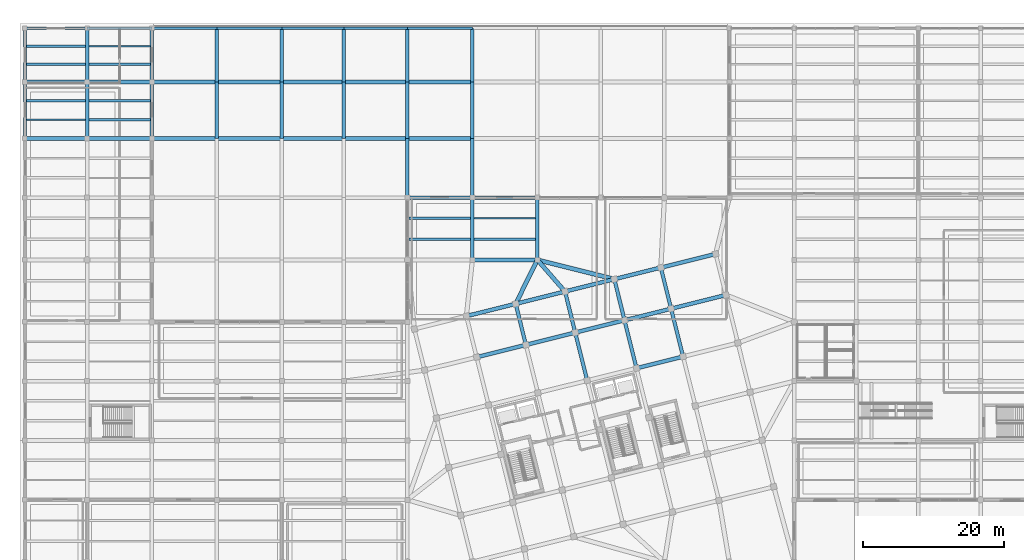
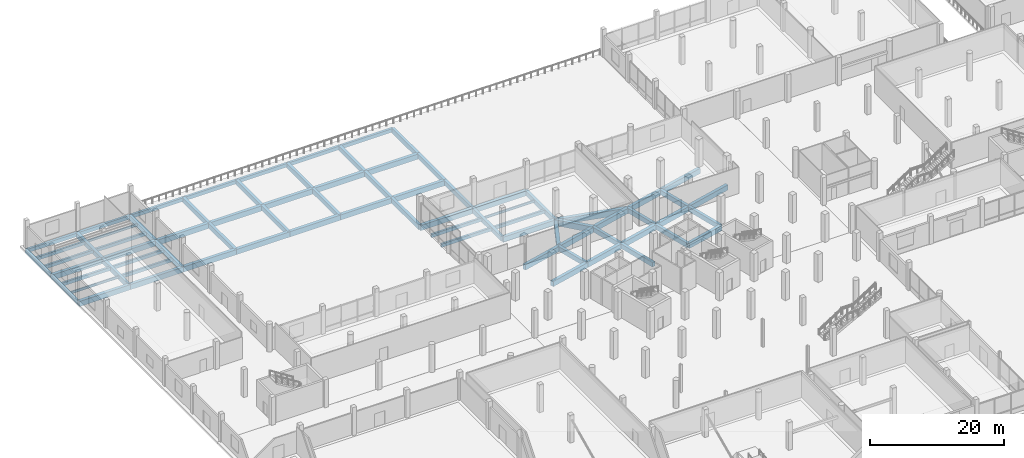
# One storey, part 31 of 73: 77 beams.
"""IFC4 building model written with IfcOpenShell, lengths in metres."""

from ifc_helpers import new_model, si_unit, direction, frame, origin, origin_2d, place, context, subcontext, project, spatial, rectangle, i_section, extrude, material, material_profile, profile_set, type_object, element, save


model = new_model("IFC4")

# Units and contexts
model_context = context("Model", 3, precision=1e-05, world=origin(), true_north=direction((0.0, 1.0)))
body_context = subcontext(model_context, "Body", "Model", "MODEL_VIEW")
ifc_project = project(units=[si_unit("LENGTHUNIT", "METRE"), si_unit("AREAUNIT", "SQUARE_METRE"), si_unit("VOLUMEUNIT", "CUBIC_METRE"), si_unit("PLANEANGLEUNIT", "RADIAN"), si_unit("MASSUNIT", "GRAM", prefix="KILO")], contexts=[model_context])

# Site, building, storey
site_placement = place(None, origin())
site = spatial("IfcSite", under=ifc_project, at=site_placement, CompositionType="ELEMENT")
building_placement = place(site_placement, origin())
building = spatial("IfcBuilding", under=site, at=building_placement, Name="Meriwether Solvik Hall", CompositionType="ELEMENT")
storey_placement = place(building_placement, origin())
storey = spatial("IfcBuildingStorey", under=building, at=storey_placement, Name="L00", CompositionType="ELEMENT", Elevation=0.0)

# Beams
ifc_material_1 = material(Name="Concrete C40/50", Category="concrete")
ifc_material_profile_1 = material_profile(ifc_material_1, rectangle(XDim=0.35009765625, YDim=0.60009765625, at=origin_2d()), Name="RCB-350X600")
ifc_profile_set_1 = profile_set([ifc_material_profile_1], Name="Concrete C40/50")
beam_type_1 = type_object("IfcBeamType", Name="BM-RC-350X600", PredefinedType="JOIST", material=ifc_profile_set_1)
for number, where, z_axis, x_axis, name in (
    (1, (5.39501953125, 106.533203125, -0.659912109375), (1.0, 0.0, 0.0), (0.0, 1.0, 0.0), "Secondary Floor Joist 1/L_J2 (L00)"),
    (2, (5.39501953125, 111.7333984375, -0.659912109375), (1.0, 0.0, 0.0), (0.0, 1.0, 0.0), "Secondary Floor Joist 1/M_J1 (L00)"),
    (3, (5.39501953125, 114.2666015625, -0.659912109375), (1.0, 0.0, 0.0), (0.0, 1.0, 0.0), "Secondary Floor Joist 1/M_J2 (L00)"),
):
    element("IfcBeam", number, at=place(storey_placement, frame(where, z_axis=z_axis, x_axis=x_axis)), inside=storey, type_object=beam_type_1, Name=name, PredefinedType="JOIST", context=body_context, shape_type="SweptSolid", body=[
        extrude(rectangle(XDim=0.35009765625, YDim=0.60009765625, at=origin_2d()), origin(), (0.0, 0.0, 1.0), 8.35986328125),
    ])
for number, where, z_axis, x_axis, name in (
    (4, (14.2451171875, 103.86669921875, -0.659912109375), (1.0, 0.0, 0.0), (0.0, 1.0, 0.0), "Secondary Floor Joist 2/L_J1 (L00)"),
    (5, (14.2451171875, 106.533203125, -0.659912109375), (1.0, 0.0, 0.0), (0.0, 1.0, 0.0), "Secondary Floor Joist 2/L_J2 (L00)"),
    (6, (14.2451171875, 111.7333984375, -0.659912109375), (1.0, 0.0, 0.0), (0.0, 1.0, 0.0), "Secondary Floor Joist 2/M_J1 (L00)"),
    (7, (59.64501953125, 86.933349609375, -0.659912109375), (1.0, 0.0, 0.0), (0.0, 1.0, 0.0), "Secondary Floor Joist 7/J_J1 (L00)"),
    (8, (59.64501953125, 89.86669921875, -0.659912109375), (1.0, 0.0, 0.0), (0.0, 1.0, 0.0), "Secondary Floor Joist 7/J_J2 (L00)"),
    (9, (68.844970703125, 86.933349609375, -0.659912109375), (1.0, 0.0, 0.0), (0.0, 1.0, 0.0), "Secondary Floor Joist 8/J_J1 (L00)"),
):
    element("IfcBeam", number, at=place(storey_placement, frame(where, z_axis=z_axis, x_axis=x_axis)), inside=storey, type_object=beam_type_1, Name=name, PredefinedType="JOIST", context=body_context, shape_type="SweptSolid", body=[
        extrude(rectangle(XDim=0.35009765625, YDim=0.60009765625, at=origin_2d()), origin(), (0.0, 0.0, 1.0), 8.7099609375),
    ])
ifc_material_2 = material(Name="Concrete C40/50", Category="concrete")
ifc_material_profile_2 = material_profile(ifc_material_2, rectangle(XDim=0.39990234375, YDim=0.64990234375, at=origin_2d()), Name="RCB-400X650")
ifc_profile_set_2 = profile_set([ifc_material_profile_2], Name="Concrete C40/50")
beam_type_2 = type_object("IfcBeamType", Name="BM-RC-400X650", PredefinedType="SPANDREL", material=ifc_profile_set_2)
beam_1_placement = place(storey_placement, frame((5.199951171875, 116.800048828125, -0.68505859375), z_axis=(1.0, 0.0, 0.0), x_axis=(0.0, 1.0, 0.0)))
element("IfcBeam", 10, at=beam_1_placement, inside=storey, type_object=beam_type_2, Name="Podium Girder N:1-2 (L00)", PredefinedType="SPANDREL", context=body_context, shape_type="SweptSolid", body=[
    extrude(rectangle(XDim=0.39990234375, YDim=0.64990234375, at=origin_2d()), origin(), (0.0, 0.0, 1.0), 8.800048828125),
])
for number, where, z_axis, x_axis, name in (
    (11, (14.0, 116.800048828125, -0.68505859375), (1.0, 0.0, 0.0), (0.0, 1.0, 0.0), "Podium Girder N:2-3 (L00)"),
    (12, (23.199951171875, 116.800048828125, -0.68505859375), (1.0, 0.0, 0.0), (0.0, 1.0, 0.0), "Podium Girder N:3-4 (L00)"),
):
    element("IfcBeam", number, at=place(storey_placement, frame(where, z_axis=z_axis, x_axis=x_axis)), inside=storey, type_object=beam_type_2, Name=name, PredefinedType="SPANDREL", context=body_context, shape_type="SweptSolid", body=[
        extrude(rectangle(XDim=0.39990234375, YDim=0.64990234375, at=origin_2d()), origin(), (0.0, 0.0, 1.0), 9.199951171875),
    ])
beam_2_placement = place(storey_placement, frame((32.39990234375, 116.800048828125, -0.68505859375), z_axis=(1.0, 0.0, 0.0), x_axis=(0.0, 1.0, 0.0)))
element("IfcBeam", 13, at=beam_2_placement, inside=storey, type_object=beam_type_2, Name="Podium Girder N:4-5 (L00)", PredefinedType="SPANDREL", context=body_context, shape_type="SweptSolid", body=[
    extrude(rectangle(XDim=0.39990234375, YDim=0.64990234375, at=origin_2d()), origin(), (0.0, 0.0, 1.0), 9.2001953125),
])
beam_3_placement = place(storey_placement, frame((41.60009765625, 116.800048828125, -0.68505859375), z_axis=(1.0, 0.0, 0.0), x_axis=(0.0, 1.0, 0.0)))
element("IfcBeam", 14, at=beam_3_placement, inside=storey, type_object=beam_type_2, Name="Podium Girder N:5-6 (L00)", PredefinedType="SPANDREL", context=body_context, shape_type="SweptSolid", body=[
    extrude(rectangle(XDim=0.39990234375, YDim=0.64990234375, at=origin_2d()), origin(), (0.0, 0.0, 1.0), 8.7998046875),
])
beam_4_placement = place(storey_placement, frame((50.39990234375, 116.800048828125, -0.68505859375), z_axis=(1.0, 0.0, 0.0), x_axis=(0.0, 1.0, 0.0)))
element("IfcBeam", 15, at=beam_4_placement, inside=storey, type_object=beam_type_2, Name="Podium Girder N:6-7 (L00)", PredefinedType="SPANDREL", context=body_context, shape_type="SweptSolid", body=[
    extrude(rectangle(XDim=0.39990234375, YDim=0.64990234375, at=origin_2d()), origin(), (0.0, 0.0, 1.0), 9.0),
])
beam_5_placement = place(storey_placement, frame((59.39990234375, 116.800048828125, -0.68505859375), z_axis=(1.0, 0.0, 0.0), x_axis=(0.0, 1.0, 0.0)))
element("IfcBeam", 16, at=beam_5_placement, inside=storey, type_object=beam_type_2, Name="Podium Girder N:7-8 (L00)", PredefinedType="SPANDREL", context=body_context, shape_type="SweptSolid", body=[
    extrude(rectangle(XDim=0.39990234375, YDim=0.64990234375, at=origin_2d()), origin(), (0.0, 0.0, 1.0), 9.2001953125),
])
beam_6_placement = place(storey_placement, frame((5.199951171875, 101.199951171875, -0.68505859375), z_axis=(0.0, 1.0, 0.0), x_axis=(-1.0, 0.0, 0.0)))
element("IfcBeam", 17, at=beam_6_placement, inside=storey, type_object=beam_type_2, Name="Podium Girder 1:L-M (L00)", PredefinedType="SPANDREL", context=body_context, shape_type="SweptSolid", body=[
    extrude(rectangle(XDim=0.39990234375, YDim=0.64990234375, at=origin_2d()), origin(), (0.0, 0.0, 1.0), 8.0),
])
beam_7_placement = place(storey_placement, frame((5.199951171875, 109.199951171875, -0.68505859375), z_axis=(0.0, 1.0, 0.0), x_axis=(-1.0, 0.0, 0.0)))
element("IfcBeam", 18, at=beam_7_placement, inside=storey, type_object=beam_type_2, Name="Podium Girder 1:M-N (L00)", PredefinedType="SPANDREL", context=body_context, shape_type="SweptSolid", body=[
    extrude(rectangle(XDim=0.39990234375, YDim=0.64990234375, at=origin_2d()), origin(), (0.0, 0.0, 1.0), 7.60009765625),
])
ifc_material_3 = material(Name="Concrete C40/50", Category="concrete")
ifc_material_profile_3 = material_profile(ifc_material_3, rectangle(XDim=0.5, YDim=0.85009765625, at=origin_2d()), Name="RCB-500X850")
ifc_profile_set_3 = profile_set([ifc_material_profile_3], Name="Concrete C40/50")
beam_type_3 = type_object("IfcBeamType", Name="BM-RC-500X850", PredefinedType="BEAM", material=ifc_profile_set_3)
beam_8_placement = place(storey_placement, frame((14.0, 101.199951171875, -0.784912109375), z_axis=(0.0, 1.0, 0.0), x_axis=(-1.0, 0.0, 0.0)))
element("IfcBeam", 19, at=beam_8_placement, inside=storey, type_object=beam_type_3, Name="Podium Girder 2:L-M (L00)", PredefinedType="BEAM", context=body_context, shape_type="SweptSolid", body=[
    extrude(rectangle(XDim=0.5, YDim=0.85009765625, at=origin_2d()), origin(), (0.0, 0.0, 1.0), 8.0),
])
beam_9_placement = place(storey_placement, frame((14.0, 109.199951171875, -0.784912109375), z_axis=(0.0, 1.0, 0.0), x_axis=(-1.0, 0.0, 0.0)))
element("IfcBeam", 20, at=beam_9_placement, inside=storey, type_object=beam_type_3, Name="Podium Girder 2:M-N (L00)", PredefinedType="BEAM", context=body_context, shape_type="SweptSolid", body=[
    extrude(rectangle(XDim=0.5, YDim=0.85009765625, at=origin_2d()), origin(), (0.0, 0.0, 1.0), 7.60009765625),
])
beam_10_placement = place(storey_placement, frame((23.199951171875, 101.199951171875, -0.784912109375), z_axis=(0.0, 1.0, 0.0), x_axis=(-1.0, 0.0, 0.0)))
element("IfcBeam", 21, at=beam_10_placement, inside=storey, type_object=beam_type_3, Name="Podium Girder 3:L-M (L00)", PredefinedType="BEAM", context=body_context, shape_type="SweptSolid", body=[
    extrude(rectangle(XDim=0.5, YDim=0.85009765625, at=origin_2d()), origin(), (0.0, 0.0, 1.0), 8.0),
])
beam_11_placement = place(storey_placement, frame((23.199951171875, 109.199951171875, -0.784912109375), z_axis=(0.0, 1.0, 0.0), x_axis=(-1.0, 0.0, 0.0)))
element("IfcBeam", 22, at=beam_11_placement, inside=storey, type_object=beam_type_3, Name="Podium Girder 3:M-N (L00)", PredefinedType="BEAM", context=body_context, shape_type="SweptSolid", body=[
    extrude(rectangle(XDim=0.5, YDim=0.85009765625, at=origin_2d()), origin(), (0.0, 0.0, 1.0), 7.60009765625),
])
beam_12_placement = place(storey_placement, frame((32.39990234375, 101.199951171875, -0.784912109375), z_axis=(0.0, 1.0, 0.0), x_axis=(-1.0, 0.0, 0.0)))
element("IfcBeam", 23, at=beam_12_placement, inside=storey, type_object=beam_type_3, Name="Podium Girder 4:L-M (L00)", PredefinedType="BEAM", context=body_context, shape_type="SweptSolid", body=[
    extrude(rectangle(XDim=0.5, YDim=0.85009765625, at=origin_2d()), origin(), (0.0, 0.0, 1.0), 8.0),
])
beam_13_placement = place(storey_placement, frame((32.39990234375, 109.199951171875, -0.784912109375), z_axis=(0.0, 1.0, 0.0), x_axis=(-1.0, 0.0, 0.0)))
element("IfcBeam", 24, at=beam_13_placement, inside=storey, type_object=beam_type_3, Name="Podium Girder 4:M-N (L00)", PredefinedType="BEAM", context=body_context, shape_type="SweptSolid", body=[
    extrude(rectangle(XDim=0.5, YDim=0.85009765625, at=origin_2d()), origin(), (0.0, 0.0, 1.0), 7.60009765625),
])
beam_14_placement = place(storey_placement, frame((41.60009765625, 101.199951171875, -0.784912109375), z_axis=(0.0, 1.0, 0.0), x_axis=(-1.0, 0.0, 0.0)))
element("IfcBeam", 25, at=beam_14_placement, inside=storey, type_object=beam_type_3, Name="Podium Girder 5:L-M (L00)", PredefinedType="BEAM", context=body_context, shape_type="SweptSolid", body=[
    extrude(rectangle(XDim=0.5, YDim=0.85009765625, at=origin_2d()), origin(), (0.0, 0.0, 1.0), 8.0),
])
beam_15_placement = place(storey_placement, frame((41.60009765625, 109.199951171875, -0.784912109375), z_axis=(0.0, 1.0, 0.0), x_axis=(-1.0, 0.0, 0.0)))
element("IfcBeam", 26, at=beam_15_placement, inside=storey, type_object=beam_type_3, Name="Podium Girder 5:M-N (L00)", PredefinedType="BEAM", context=body_context, shape_type="SweptSolid", body=[
    extrude(rectangle(XDim=0.5, YDim=0.85009765625, at=origin_2d()), origin(), (0.0, 0.0, 1.0), 7.60009765625),
])
beam_16_placement = place(storey_placement, frame((50.39990234375, 101.199951171875, -0.784912109375), z_axis=(0.0, 1.0, 0.0), x_axis=(-1.0, 0.0, 0.0)))
element("IfcBeam", 27, at=beam_16_placement, inside=storey, type_object=beam_type_3, Name="Podium Girder 6:L-M (L00)", PredefinedType="BEAM", context=body_context, shape_type="SweptSolid", body=[
    extrude(rectangle(XDim=0.5, YDim=0.85009765625, at=origin_2d()), origin(), (0.0, 0.0, 1.0), 8.0),
])
beam_17_placement = place(storey_placement, frame((50.39990234375, 109.199951171875, -0.784912109375), z_axis=(0.0, 1.0, 0.0), x_axis=(-1.0, 0.0, 0.0)))
element("IfcBeam", 28, at=beam_17_placement, inside=storey, type_object=beam_type_3, Name="Podium Girder 6:M-N (L00)", PredefinedType="BEAM", context=body_context, shape_type="SweptSolid", body=[
    extrude(rectangle(XDim=0.5, YDim=0.85009765625, at=origin_2d()), origin(), (0.0, 0.0, 1.0), 7.60009765625),
])
beam_18_placement = place(storey_placement, frame((59.39990234375, 92.800048828125, -0.784912109375), z_axis=(0.0, 1.0, 0.0), x_axis=(-1.0, 0.0, 0.0)))
element("IfcBeam", 29, at=beam_18_placement, inside=storey, type_object=beam_type_3, Name="Podium Girder 7:K-L (L00)", PredefinedType="BEAM", context=body_context, shape_type="SweptSolid", body=[
    extrude(rectangle(XDim=0.5, YDim=0.85009765625, at=origin_2d()), origin(), (0.0, 0.0, 1.0), 8.39990234375),
])
beam_19_placement = place(storey_placement, frame((59.39990234375, 101.199951171875, -0.784912109375), z_axis=(0.0, 1.0, 0.0), x_axis=(-1.0, 0.0, 0.0)))
element("IfcBeam", 30, at=beam_19_placement, inside=storey, type_object=beam_type_3, Name="Podium Girder 7:L-M (L00)", PredefinedType="BEAM", context=body_context, shape_type="SweptSolid", body=[
    extrude(rectangle(XDim=0.5, YDim=0.85009765625, at=origin_2d()), origin(), (0.0, 0.0, 1.0), 8.0),
])
beam_20_placement = place(storey_placement, frame((59.39990234375, 109.199951171875, -0.784912109375), z_axis=(0.0, 1.0, 0.0), x_axis=(-1.0, 0.0, 0.0)))
element("IfcBeam", 31, at=beam_20_placement, inside=storey, type_object=beam_type_3, Name="Podium Girder 7:M-N (L00)", PredefinedType="BEAM", context=body_context, shape_type="SweptSolid", body=[
    extrude(rectangle(XDim=0.5, YDim=0.85009765625, at=origin_2d()), origin(), (0.0, 0.0, 1.0), 7.60009765625),
])
beam_21_placement = place(storey_placement, frame((68.60009765625, 84.0, -0.784912109375), z_axis=(0.0, 1.0, 0.0), x_axis=(-1.0, 0.0, 0.0)))
element("IfcBeam", 32, at=beam_21_placement, inside=storey, type_object=beam_type_3, Name="Podium Girder 8:J-K (L00)", PredefinedType="BEAM", context=body_context, shape_type="SweptSolid", body=[
    extrude(rectangle(XDim=0.5, YDim=0.85009765625, at=origin_2d()), origin(), (0.0, 0.0, 1.0), 8.800048828125),
])
beam_22_placement = place(storey_placement, frame((68.60009765625, 92.800048828125, -0.784912109375), z_axis=(0.0, 1.0, 0.0), x_axis=(-1.0, 0.0, 0.0)))
element("IfcBeam", 33, at=beam_22_placement, inside=storey, type_object=beam_type_3, Name="Podium Girder 8:K-L (L00)", PredefinedType="BEAM", context=body_context, shape_type="SweptSolid", body=[
    extrude(rectangle(XDim=0.5, YDim=0.85009765625, at=origin_2d()), origin(), (0.0, 0.0, 1.0), 8.39990234375),
])
beam_23_placement = place(storey_placement, frame((68.60009765625, 101.199951171875, -0.784912109375), z_axis=(0.0, 1.0, 0.0), x_axis=(-1.0, 0.0, 0.0)))
element("IfcBeam", 34, at=beam_23_placement, inside=storey, type_object=beam_type_3, Name="Podium Girder 8:L-M (L00)", PredefinedType="BEAM", context=body_context, shape_type="SweptSolid", body=[
    extrude(rectangle(XDim=0.5, YDim=0.85009765625, at=origin_2d()), origin(), (0.0, 0.0, 1.0), 8.0),
])
beam_24_placement = place(storey_placement, frame((68.60009765625, 109.199951171875, -0.784912109375), z_axis=(0.0, 1.0, 0.0), x_axis=(-1.0, 0.0, 0.0)))
element("IfcBeam", 35, at=beam_24_placement, inside=storey, type_object=beam_type_3, Name="Podium Girder 8:M-N (L00)", PredefinedType="BEAM", context=body_context, shape_type="SweptSolid", body=[
    extrude(rectangle(XDim=0.5, YDim=0.85009765625, at=origin_2d()), origin(), (0.0, 0.0, 1.0), 7.60009765625),
])
beam_25_placement = place(storey_placement, frame((77.800048828125, 84.0, -0.784912109375), z_axis=(0.0, 1.0, 0.0), x_axis=(-1.0, 0.0, 0.0)))
element("IfcBeam", 36, at=beam_25_placement, inside=storey, type_object=beam_type_3, Name="Podium Girder 9:J-K (L00)", PredefinedType="BEAM", context=body_context, shape_type="SweptSolid", body=[
    extrude(rectangle(XDim=0.5, YDim=0.85009765625, at=origin_2d()), origin(), (0.0, 0.0, 1.0), 8.800048828125),
])
beam_26_placement = place(storey_placement, frame((76.1865234375, 71.94873046875, -0.784912109375), z_axis=(-0.241903677572, 0.970300268359, 0.0), x_axis=(-0.970300268359, -0.241903677572, 0.0)))
element("IfcBeam", 37, at=beam_26_placement, inside=storey, type_object=beam_type_3, Name="Tower Girder T3:TE-TF (L00)", PredefinedType="BEAM", context=body_context, shape_type="SweptSolid", body=[
    extrude(rectangle(XDim=0.5, YDim=0.85009765625, at=origin_2d()), origin(), (0.0, 0.0, 1.0), 6.0),
])
beam_27_placement = place(storey_placement, frame((84.8662109375, 66.8984375, -0.784912109375), z_axis=(-0.241936527961, 0.970292077901, 0.0), x_axis=(-0.970292077901, -0.241936527961, 0.0)))
element("IfcBeam", 38, at=beam_27_placement, inside=storey, type_object=beam_type_3, Name="Tower Girder T4:TD-TE (L00)", PredefinedType="BEAM", context=body_context, shape_type="SweptSolid", body=[
    extrude(rectangle(XDim=0.5, YDim=0.85009765625, at=origin_2d()), origin(), (0.0, 0.0, 1.0), 7.000244140625),
])
beam_28_placement = place(storey_placement, frame((83.172607421875, 73.690673828125, -0.784912109375), z_axis=(-0.241903677572, 0.970300268359, 0.0), x_axis=(-0.970300268359, -0.241903677572, 0.0)))
element("IfcBeam", 39, at=beam_28_placement, inside=storey, type_object=beam_type_3, Name="Tower Girder T4:TE-TF (L00)", PredefinedType="BEAM", context=body_context, shape_type="SweptSolid", body=[
    extrude(rectangle(XDim=0.5, YDim=0.85009765625, at=origin_2d()), origin(), (0.0, 0.0, 1.0), 6.0),
])
beam_29_placement = place(storey_placement, frame((91.852294921875, 68.640380859375, -0.784912109375), z_axis=(-0.241911879182, 0.970298223594, 0.0), x_axis=(-0.970298223594, -0.241911879182, 0.0)))
element("IfcBeam", 40, at=beam_29_placement, inside=storey, type_object=beam_type_3, Name="Tower Girder T5:TD-TE (L00)", PredefinedType="BEAM", context=body_context, shape_type="SweptSolid", body=[
    extrude(rectangle(XDim=0.5, YDim=0.85009765625, at=origin_2d()), origin(), (0.0, 0.0, 1.0), 7.0),
])
beam_30_placement = place(storey_placement, frame((90.158935546875, 75.432373046875, -0.784912109375), z_axis=(-0.241941986192, 0.970290716908, 0.0), x_axis=(-0.970290716908, -0.241941986192, 0.0)))
element("IfcBeam", 41, at=beam_30_placement, inside=storey, type_object=beam_type_3, Name="Tower Girder T5:TE-TF (L00)", PredefinedType="BEAM", context=body_context, shape_type="SweptSolid", body=[
    extrude(rectangle(XDim=0.5, YDim=0.85009765625, at=origin_2d()), origin(), (0.0, 0.0, 1.0), 6.0),
])
beam_31_placement = place(storey_placement, frame((98.4501953125, 70.285400390625, -0.784912109375), z_axis=(-0.241911879182, 0.970298223594, 0.0), x_axis=(-0.970298223594, -0.241911879182, 0.0)))
element("IfcBeam", 42, at=beam_31_placement, inside=storey, type_object=beam_type_3, Name="Tower Girder T6:TD-TE (L00)", PredefinedType="BEAM", context=body_context, shape_type="SweptSolid", body=[
    extrude(rectangle(XDim=0.5, YDim=0.85009765625, at=origin_2d()), origin(), (0.0, 0.0, 1.0), 7.0),
])
beam_32_placement = place(storey_placement, frame((96.7568359375, 77.077392578125, -0.784912109375), z_axis=(-0.241903677572, 0.970300268359, 0.0), x_axis=(-0.970300268359, -0.241903677572, 0.0)))
element("IfcBeam", 43, at=beam_32_placement, inside=storey, type_object=beam_type_3, Name="Tower Girder T6:TE-TF (L00)", PredefinedType="BEAM", context=body_context, shape_type="SweptSolid", body=[
    extrude(rectangle(XDim=0.5, YDim=0.85009765625, at=origin_2d()), origin(), (0.0, 0.0, 1.0), 6.0),
])
ifc_material_4 = material(Name="Concrete C40/50", Category="concrete")
ifc_material_profile_4 = material_profile(ifc_material_4, rectangle(XDim=0.550048828125, YDim=0.949951171875, at=origin_2d()), Name="RCB-550X950")
ifc_profile_set_4 = profile_set([ifc_material_profile_4], Name="Concrete C40/50")
beam_type_4 = type_object("IfcBeamType", Name="BM-RC-550X950", PredefinedType="BEAM", material=ifc_profile_set_4)
beam_33_placement = place(storey_placement, frame((68.60009765625, 84.0, -0.8349609375), z_axis=(1.0, 0.0, 0.0), x_axis=(0.0, 1.0, 0.0)))
element("IfcBeam", 44, at=beam_33_placement, inside=storey, type_object=beam_type_4, Name="Podium Girder J:8-9 (L00)", PredefinedType="BEAM", context=body_context, shape_type="SweptSolid", body=[
    extrude(rectangle(XDim=0.550048828125, YDim=0.949951171875, at=origin_2d()), origin(), (0.0, 0.0, 1.0), 9.199951171875),
])
beam_34_placement = place(storey_placement, frame((59.39990234375, 92.800048828125, -0.8349609375), z_axis=(1.0, 0.0, 0.0), x_axis=(0.0, 1.0, 0.0)))
element("IfcBeam", 45, at=beam_34_placement, inside=storey, type_object=beam_type_4, Name="Podium Girder K:7-8 (L00)", PredefinedType="BEAM", context=body_context, shape_type="SweptSolid", body=[
    extrude(rectangle(XDim=0.550048828125, YDim=0.949951171875, at=origin_2d()), origin(), (0.0, 0.0, 1.0), 9.2001953125),
])
beam_35_placement = place(storey_placement, frame((68.60009765625, 92.800048828125, -0.8349609375), z_axis=(1.0, 0.0, 0.0), x_axis=(0.0, 1.0, 0.0)))
element("IfcBeam", 46, at=beam_35_placement, inside=storey, type_object=beam_type_4, Name="Podium Girder K:8-9 (L00)", PredefinedType="BEAM", context=body_context, shape_type="SweptSolid", body=[
    extrude(rectangle(XDim=0.550048828125, YDim=0.949951171875, at=origin_2d()), origin(), (0.0, 0.0, 1.0), 9.199951171875),
])
beam_36_placement = place(storey_placement, frame((5.199951171875, 101.199951171875, -0.8349609375), z_axis=(1.0, 0.0, 0.0), x_axis=(0.0, 1.0, 0.0)))
element("IfcBeam", 47, at=beam_36_placement, inside=storey, type_object=beam_type_4, Name="Podium Girder L:1-2 (L00)", PredefinedType="BEAM", context=body_context, shape_type="SweptSolid", body=[
    extrude(rectangle(XDim=0.550048828125, YDim=0.949951171875, at=origin_2d()), origin(), (0.0, 0.0, 1.0), 8.800048828125),
])
for number, where, z_axis, x_axis, name in (
    (48, (14.0, 101.199951171875, -0.8349609375), (1.0, 0.0, 0.0), (0.0, 1.0, 0.0), "Podium Girder L:2-3 (L00)"),
    (49, (23.199951171875, 101.199951171875, -0.8349609375), (1.0, 0.0, 0.0), (0.0, 1.0, 0.0), "Podium Girder L:3-4 (L00)"),
):
    element("IfcBeam", number, at=place(storey_placement, frame(where, z_axis=z_axis, x_axis=x_axis)), inside=storey, type_object=beam_type_4, Name=name, PredefinedType="BEAM", context=body_context, shape_type="SweptSolid", body=[
        extrude(rectangle(XDim=0.550048828125, YDim=0.949951171875, at=origin_2d()), origin(), (0.0, 0.0, 1.0), 9.199951171875),
    ])
beam_37_placement = place(storey_placement, frame((32.39990234375, 101.199951171875, -0.8349609375), z_axis=(1.0, 0.0, 0.0), x_axis=(0.0, 1.0, 0.0)))
element("IfcBeam", 50, at=beam_37_placement, inside=storey, type_object=beam_type_4, Name="Podium Girder L:4-5 (L00)", PredefinedType="BEAM", context=body_context, shape_type="SweptSolid", body=[
    extrude(rectangle(XDim=0.550048828125, YDim=0.949951171875, at=origin_2d()), origin(), (0.0, 0.0, 1.0), 9.2001953125),
])
beam_38_placement = place(storey_placement, frame((41.60009765625, 101.199951171875, -0.8349609375), z_axis=(1.0, 0.0, 0.0), x_axis=(0.0, 1.0, 0.0)))
element("IfcBeam", 51, at=beam_38_placement, inside=storey, type_object=beam_type_4, Name="Podium Girder L:5-6 (L00)", PredefinedType="BEAM", context=body_context, shape_type="SweptSolid", body=[
    extrude(rectangle(XDim=0.550048828125, YDim=0.949951171875, at=origin_2d()), origin(), (0.0, 0.0, 1.0), 8.7998046875),
])
beam_39_placement = place(storey_placement, frame((50.39990234375, 101.199951171875, -0.8349609375), z_axis=(1.0, 0.0, 0.0), x_axis=(0.0, 1.0, 0.0)))
element("IfcBeam", 52, at=beam_39_placement, inside=storey, type_object=beam_type_4, Name="Podium Girder L:6-7 (L00)", PredefinedType="BEAM", context=body_context, shape_type="SweptSolid", body=[
    extrude(rectangle(XDim=0.550048828125, YDim=0.949951171875, at=origin_2d()), origin(), (0.0, 0.0, 1.0), 9.0),
])
beam_40_placement = place(storey_placement, frame((59.39990234375, 101.199951171875, -0.8349609375), z_axis=(1.0, 0.0, 0.0), x_axis=(0.0, 1.0, 0.0)))
element("IfcBeam", 53, at=beam_40_placement, inside=storey, type_object=beam_type_4, Name="Podium Girder L:7-8 (L00)", PredefinedType="BEAM", context=body_context, shape_type="SweptSolid", body=[
    extrude(rectangle(XDim=0.550048828125, YDim=0.949951171875, at=origin_2d()), origin(), (0.0, 0.0, 1.0), 9.2001953125),
])
beam_41_placement = place(storey_placement, frame((5.199951171875, 109.199951171875, -0.8349609375), z_axis=(1.0, 0.0, 0.0), x_axis=(0.0, 1.0, 0.0)))
element("IfcBeam", 54, at=beam_41_placement, inside=storey, type_object=beam_type_4, Name="Podium Girder M:1-2 (L00)", PredefinedType="BEAM", context=body_context, shape_type="SweptSolid", body=[
    extrude(rectangle(XDim=0.550048828125, YDim=0.949951171875, at=origin_2d()), origin(), (0.0, 0.0, 1.0), 8.800048828125),
])
for number, where, z_axis, x_axis, name in (
    (55, (14.0, 109.199951171875, -0.8349609375), (1.0, 0.0, 0.0), (0.0, 1.0, 0.0), "Podium Girder M:2-3 (L00)"),
    (56, (23.199951171875, 109.199951171875, -0.8349609375), (1.0, 0.0, 0.0), (0.0, 1.0, 0.0), "Podium Girder M:3-4 (L00)"),
):
    element("IfcBeam", number, at=place(storey_placement, frame(where, z_axis=z_axis, x_axis=x_axis)), inside=storey, type_object=beam_type_4, Name=name, PredefinedType="BEAM", context=body_context, shape_type="SweptSolid", body=[
        extrude(rectangle(XDim=0.550048828125, YDim=0.949951171875, at=origin_2d()), origin(), (0.0, 0.0, 1.0), 9.199951171875),
    ])
beam_42_placement = place(storey_placement, frame((32.39990234375, 109.199951171875, -0.8349609375), z_axis=(1.0, 0.0, 0.0), x_axis=(0.0, 1.0, 0.0)))
element("IfcBeam", 57, at=beam_42_placement, inside=storey, type_object=beam_type_4, Name="Podium Girder M:4-5 (L00)", PredefinedType="BEAM", context=body_context, shape_type="SweptSolid", body=[
    extrude(rectangle(XDim=0.550048828125, YDim=0.949951171875, at=origin_2d()), origin(), (0.0, 0.0, 1.0), 9.2001953125),
])
beam_43_placement = place(storey_placement, frame((41.60009765625, 109.199951171875, -0.8349609375), z_axis=(1.0, 0.0, 0.0), x_axis=(0.0, 1.0, 0.0)))
element("IfcBeam", 58, at=beam_43_placement, inside=storey, type_object=beam_type_4, Name="Podium Girder M:5-6 (L00)", PredefinedType="BEAM", context=body_context, shape_type="SweptSolid", body=[
    extrude(rectangle(XDim=0.550048828125, YDim=0.949951171875, at=origin_2d()), origin(), (0.0, 0.0, 1.0), 8.7998046875),
])
beam_44_placement = place(storey_placement, frame((50.39990234375, 109.199951171875, -0.8349609375), z_axis=(1.0, 0.0, 0.0), x_axis=(0.0, 1.0, 0.0)))
element("IfcBeam", 59, at=beam_44_placement, inside=storey, type_object=beam_type_4, Name="Podium Girder M:6-7 (L00)", PredefinedType="BEAM", context=body_context, shape_type="SweptSolid", body=[
    extrude(rectangle(XDim=0.550048828125, YDim=0.949951171875, at=origin_2d()), origin(), (0.0, 0.0, 1.0), 9.0),
])
beam_45_placement = place(storey_placement, frame((59.39990234375, 109.199951171875, -0.8349609375), z_axis=(1.0, 0.0, 0.0), x_axis=(0.0, 1.0, 0.0)))
element("IfcBeam", 60, at=beam_45_placement, inside=storey, type_object=beam_type_4, Name="Podium Girder M:7-8 (L00)", PredefinedType="BEAM", context=body_context, shape_type="SweptSolid", body=[
    extrude(rectangle(XDim=0.550048828125, YDim=0.949951171875, at=origin_2d()), origin(), (0.0, 0.0, 1.0), 9.2001953125),
])
beam_46_placement = place(storey_placement, frame((91.852294921875, 68.640380859375, -0.8349609375), z_axis=(0.970296478685, 0.241918877831, 0.0), x_axis=(-0.241918877831, 0.970296478685, 0.0)))
element("IfcBeam", 61, at=beam_46_placement, inside=storey, type_object=beam_type_4, Name="Tower Girder TD:T5-T6 (L00)", PredefinedType="BEAM", context=body_context, shape_type="SweptSolid", body=[
    extrude(rectangle(XDim=0.550048828125, YDim=0.949951171875, at=origin_2d()), origin(), (0.0, 0.0, 1.0), 6.7998046875),
])
for number, where, z_axis, x_axis, name in (
    (62, (69.200439453125, 70.206787109375, -0.8349609375), (0.970291911955, 0.241937193493, 0.0), (-0.241937193493, 0.970291911955, 0.0), "Tower Girder TE:T2-T3 (L00)"),
    (63, (76.1865234375, 71.94873046875, -0.8349609375), (0.970291911955, 0.241937193493, 0.0), (-0.241937193493, 0.970291911955, 0.0), "Tower Girder TE:T3-T4 (L00)"),
):
    element("IfcBeam", number, at=place(storey_placement, frame(where, z_axis=z_axis, x_axis=x_axis)), inside=storey, type_object=beam_type_4, Name=name, PredefinedType="BEAM", context=body_context, shape_type="SweptSolid", body=[
        extrude(rectangle(XDim=0.550048828125, YDim=0.949951171875, at=origin_2d()), origin(), (0.0, 0.0, 1.0), 7.199951171875),
    ])
beam_47_placement = place(storey_placement, frame((83.172607421875, 73.690673828125, -0.8349609375), z_axis=(0.970301855688, 0.241897310542, 0.0), x_axis=(-0.241897310542, 0.970301855688, 0.0)))
element("IfcBeam", 64, at=beam_47_placement, inside=storey, type_object=beam_type_4, Name="Tower Girder TE:T4-T5 (L00)", PredefinedType="BEAM", context=body_context, shape_type="SweptSolid", body=[
    extrude(rectangle(XDim=0.550048828125, YDim=0.949951171875, at=origin_2d()), origin(), (0.0, 0.0, 1.0), 7.2001953125),
])
beam_48_placement = place(storey_placement, frame((90.158935546875, 75.432373046875, -0.8349609375), z_axis=(0.970296478685, 0.241918877831, 0.0), x_axis=(-0.241918877831, 0.970296478685, 0.0)))
element("IfcBeam", 65, at=beam_48_placement, inside=storey, type_object=beam_type_4, Name="Tower Girder TE:T5-T6 (L00)", PredefinedType="BEAM", context=body_context, shape_type="SweptSolid", body=[
    extrude(rectangle(XDim=0.550048828125, YDim=0.949951171875, at=origin_2d()), origin(), (0.0, 0.0, 1.0), 6.7998046875),
])
beam_49_placement = place(storey_placement, frame((96.7568359375, 77.077392578125, -0.8349609375), z_axis=(0.970291312354, 0.241939598187, 0.0), x_axis=(-0.241939598187, 0.970291312354, 0.0)))
element("IfcBeam", 66, at=beam_49_placement, inside=storey, type_object=beam_type_4, Name="Tower Girder TE:T6-T7 (L00)", PredefinedType="BEAM", context=body_context, shape_type="SweptSolid", body=[
    extrude(rectangle(XDim=0.550048828125, YDim=0.949951171875, at=origin_2d()), origin(), (0.0, 0.0, 1.0), 8.000244140625),
])
for number, where, z_axis, x_axis, name in (
    (67, (67.7490234375, 76.028564453125, -0.8349609375), (0.970291911955, 0.241937193493, 0.0), (-0.241937193493, 0.970291911955, 0.0), "Tower Girder TF:T2-T3 (L00)"),
    (68, (74.735107421875, 77.7705078125, -0.8349609375), (0.970291911955, 0.241937193493, 0.0), (-0.241937193493, 0.970291911955, 0.0), "Tower Girder TF:T3-T4 (L00)"),
    (69, (81.72119140625, 79.512451171875, -0.8349609375), (0.970299871507, 0.241905269381, 0.0), (-0.241905269381, 0.970299871507, 0.0), "Tower Girder TF:T4-T5 (L00)"),
):
    element("IfcBeam", number, at=place(storey_placement, frame(where, z_axis=z_axis, x_axis=x_axis)), inside=storey, type_object=beam_type_4, Name=name, PredefinedType="BEAM", context=body_context, shape_type="SweptSolid", body=[
        extrude(rectangle(XDim=0.550048828125, YDim=0.949951171875, at=origin_2d()), origin(), (0.0, 0.0, 1.0), 7.199951171875),
    ])
beam_50_placement = place(storey_placement, frame((88.707275390625, 81.254150390625, -0.8349609375), z_axis=(0.970298579828, 0.24191045034, 0.0), x_axis=(-0.24191045034, 0.970298579828, 0.0)))
element("IfcBeam", 70, at=beam_50_placement, inside=storey, type_object=beam_type_4, Name="Tower Girder TF:T5-T6 (L00)", PredefinedType="BEAM", context=body_context, shape_type="SweptSolid", body=[
    extrude(rectangle(XDim=0.550048828125, YDim=0.949951171875, at=origin_2d()), origin(), (0.0, 0.0, 1.0), 6.800048828125),
])
beam_51_placement = place(storey_placement, frame((95.305419921875, 82.899169921875, -0.8349609375), z_axis=(0.970289525963, 0.24194676234, 0.0), x_axis=(-0.24194676234, 0.970289525963, 0.0)))
element("IfcBeam", 71, at=beam_51_placement, inside=storey, type_object=beam_type_4, Name="Tower Girder TF:T6-T7 (L00)", PredefinedType="BEAM", context=body_context, shape_type="SweptSolid", body=[
    extrude(rectangle(XDim=0.550048828125, YDim=0.949951171875, at=origin_2d()), origin(), (0.0, 0.0, 1.0), 8.0),
])
ifc_material_5 = material(Name="Concrete C40/50", Category="concrete")
ifc_material_profile_5 = material_profile(ifc_material_5, rectangle(XDim=0.60009765625, YDim=1.050048828125, at=origin_2d()), Name="RCB-600X1050")
ifc_profile_set_5 = profile_set([ifc_material_profile_5], Name="Concrete C40/50")
beam_type_5 = type_object("IfcBeamType", Name="BM-RC-600X1050", PredefinedType="BEAM", material=ifc_profile_set_5)
beam_52_placement = place(storey_placement, frame((74.735107421875, 77.7705078125, -0.885009765625), z_axis=(0.44146540955, 0.897278269084, 0.0), x_axis=(-0.897278269084, 0.44146540955, 0.0)))
element("IfcBeam", 72, at=beam_52_placement, inside=storey, type_object=beam_type_5, Name="Diaphragm Collector Girder T3/TF-9/J (L00)", PredefinedType="BEAM", context=body_context, shape_type="SweptSolid", body=[
    extrude(rectangle(XDim=0.60009765625, YDim=1.050048828125, at=origin_2d()), origin(), (0.0, 0.0, 1.0), 6.942626953125),
])
beam_53_placement = place(storey_placement, frame((81.72119140625, 79.512451171875, -0.885009765625), z_axis=(-0.657985282871, 0.7530307879, 0.0), x_axis=(-0.7530307879, -0.657985282871, 0.0)))
element("IfcBeam", 73, at=beam_53_placement, inside=storey, type_object=beam_type_5, Name="Diaphragm Collector Girder T4/TF-9/J (L00)", PredefinedType="BEAM", context=body_context, shape_type="SweptSolid", body=[
    extrude(rectangle(XDim=0.60009765625, YDim=1.050048828125, at=origin_2d()), origin(), (0.0, 0.0, 1.0), 5.959228515625),
])
beam_54_placement = place(storey_placement, frame((88.707275390625, 81.254150390625, -0.885009765625), z_axis=(-0.969742820247, 0.244128782776, 0.0), x_axis=(-0.244128782776, -0.969742820247, 0.0)))
element("IfcBeam", 74, at=beam_54_placement, inside=storey, type_object=beam_type_5, Name="Diaphragm Collector Girder T5/TF-9/J (L00)", PredefinedType="BEAM", context=body_context, shape_type="SweptSolid", body=[
    extrude(rectangle(XDim=0.60009765625, YDim=1.050048828125, at=origin_2d()), origin(), (0.0, 0.0, 1.0), 11.24755859375),
])
ifc_material_6 = material(Name="Steel A992 Grade 50", Category="steel")
ifc_material_profile_6 = material_profile(ifc_material_6, i_section(OverallWidth=0.19091796875, OverallDepth=0.45703125, WebThickness=0.009033203125, FlangeThickness=0.014404296875, at=origin_2d()), Name="W18X50")
ifc_profile_set_6 = profile_set([ifc_material_profile_6], Name="Steel A992 Grade 50")
beam_type_6 = type_object("IfcBeamType", Name="BM-STL-W18X50", PredefinedType="JOIST", material=ifc_profile_set_6)
beam_55_placement = place(storey_placement, frame((5.39501953125, 103.86669921875, -0.58837890625), z_axis=(1.0, 0.0, 0.0), x_axis=(0.0, 1.0, 0.0)))
element("IfcBeam", 75, at=beam_55_placement, inside=storey, type_object=beam_type_6, Name="Secondary Floor Joist 1/L_J1 (L00)", PredefinedType="JOIST", context=body_context, shape_type="SweptSolid", body=[
    extrude(i_section(OverallWidth=0.19091796875, OverallDepth=0.45703125, WebThickness=0.009033203125, FlangeThickness=0.014404296875, at=origin_2d()), origin(), (0.0, 0.0, 1.0), 8.35986328125),
])
for number, where, z_axis, x_axis, name in (
    (76, (14.2451171875, 114.2666015625, -0.58837890625), (1.0, 0.0, 0.0), (0.0, 1.0, 0.0), "Secondary Floor Joist 2/M_J2 (L00)"),
    (77, (68.844970703125, 89.86669921875, -0.58837890625), (1.0, 0.0, 0.0), (0.0, 1.0, 0.0), "Secondary Floor Joist 8/J_J2 (L00)"),
):
    element("IfcBeam", number, at=place(storey_placement, frame(where, z_axis=z_axis, x_axis=x_axis)), inside=storey, type_object=beam_type_6, Name=name, PredefinedType="JOIST", context=body_context, shape_type="SweptSolid", body=[
        extrude(i_section(OverallWidth=0.19091796875, OverallDepth=0.45703125, WebThickness=0.009033203125, FlangeThickness=0.014404296875, at=origin_2d()), origin(), (0.0, 0.0, 1.0), 8.7099609375),
    ])

save(model, "model.ifc")
